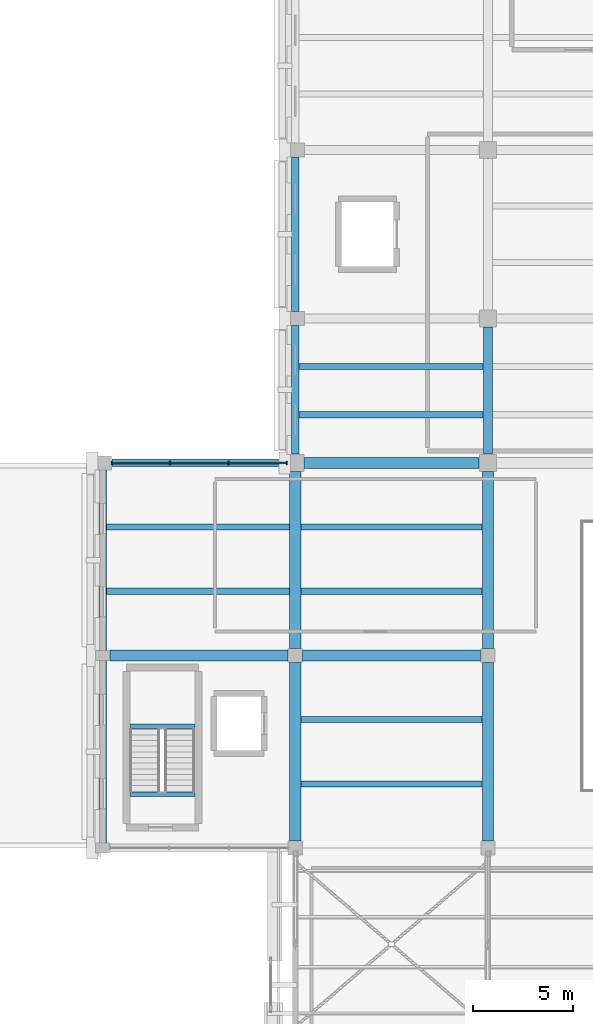
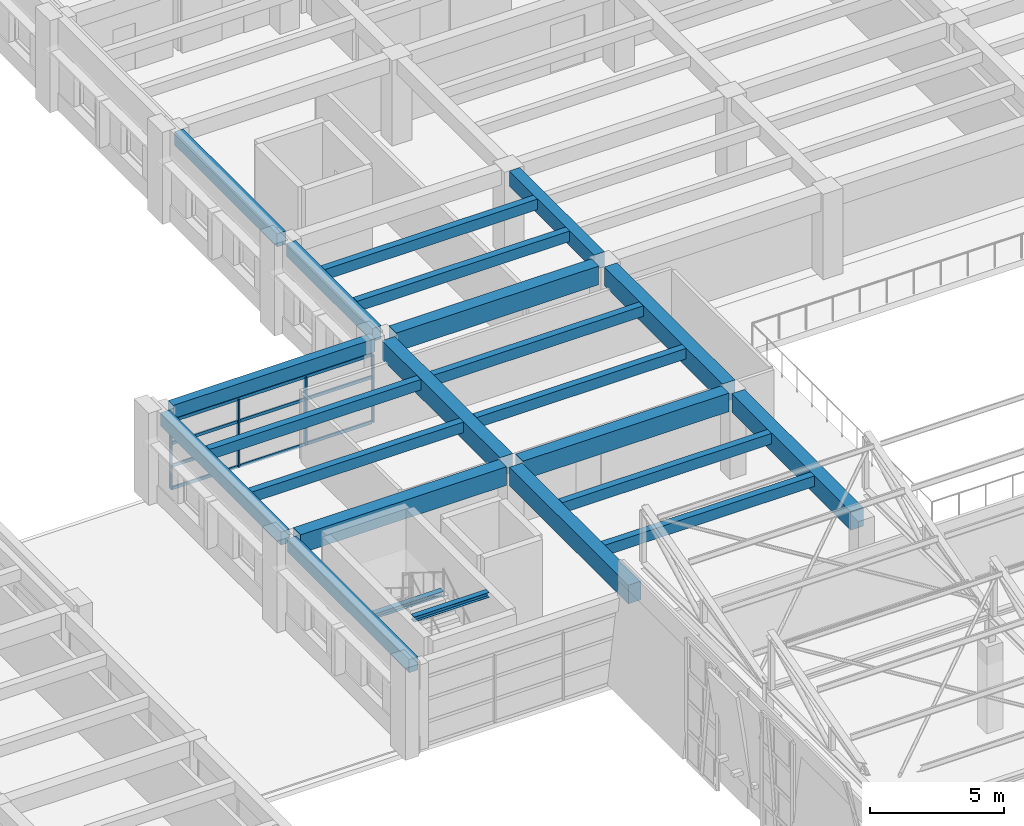
# One storey, part 28 of 71: 23 beams, 8 members, 1 element without a shape of its own.
"""IFC4 building model written with IfcOpenShell, lengths in metres."""

from ifc_helpers import new_model, si_unit, direction, frame, origin, origin_2d, place, context, subcontext, project, spatial, rectangle, i_section, extrude, material, layer, layer_set, material_profile, profile_set, type_object, element, aggregate, save


model = new_model("IFC4")

# Units and contexts
model_context = context("Model", 3, precision=1e-05, world=origin(), true_north=direction((0.0, 1.0)))
body_context = subcontext(model_context, "Body", "Model", "MODEL_VIEW")
ifc_project = project(units=[si_unit("LENGTHUNIT", "METRE"), si_unit("AREAUNIT", "SQUARE_METRE"), si_unit("VOLUMEUNIT", "CUBIC_METRE"), si_unit("PLANEANGLEUNIT", "RADIAN"), si_unit("MASSUNIT", "GRAM", prefix="KILO")], contexts=[model_context])

# Site, building, storey
site_placement = place(None, origin())
site = spatial("IfcSite", under=ifc_project, at=site_placement, CompositionType="ELEMENT")
building_placement = place(site_placement, origin())
building = spatial("IfcBuilding", under=site, at=building_placement, Name="Bempovik Park Faculty of Sciences", CompositionType="ELEMENT")
storey_placement = place(building_placement, frame((0.0, 0.0, 14.10009765625)))
storey = spatial("IfcBuildingStorey", under=building, at=storey_placement, Name="L03", CompositionType="ELEMENT", Elevation=14.10009765625)

# Beams
ifc_material_1 = material(Name="Concrete C35/45", Category="concrete")
ifc_material_profile_1 = material_profile(ifc_material_1, rectangle(XDim=0.3798828125, YDim=0.60009765625, at=origin_2d()), Name="RC 380x600")
ifc_profile_set_1 = profile_set([ifc_material_profile_1], Name="Concrete C35/45")
beam_type_1 = type_object("IfcBeamType", Name="B-032 RC 380x600", PredefinedType="SPANDREL", material=ifc_profile_set_1)
beam_1_placement = place(storey_placement, frame((50.85595703125, 87.0, 3.599853515625), z_axis=(1.0, 0.0, 0.0), x_axis=(0.0, 1.0, 0.0)))
element("IfcBeam", 1, at=beam_1_placement, inside=storey, type_object=beam_type_1, Name="L03 Beam X (50.4-60.0, y=87.0)", PredefinedType="SPANDREL", context=body_context, shape_type="SweptSolid", body=[
    extrude(rectangle(XDim=0.3798828125, YDim=0.60009765625, at=origin_2d()), origin(), (0.0, 0.0, 1.0), 8.713134765625),
])
beam_2_placement = place(storey_placement, frame((50.39990234375, 68.055908203125, 3.599853515625), z_axis=(0.0, 1.0, 0.0), x_axis=(-1.0, 0.0, 0.0)))
element("IfcBeam", 2, at=beam_2_placement, inside=storey, type_object=beam_type_1, Name="L03 Beam Y (x=50.4, 67.8-77.4)", PredefinedType="SPANDREL", context=body_context, shape_type="SweptSolid", body=[
    extrude(rectangle(XDim=0.3798828125, YDim=0.60009765625, at=origin_2d()), origin(), (0.0, 0.0, 1.0), 9.088134765625),
])
beam_3_placement = place(storey_placement, frame((50.39990234375, 77.656005859375, 3.599853515625), z_axis=(0.0, 1.0, 0.0), x_axis=(-1.0, 0.0, 0.0)))
element("IfcBeam", 3, at=beam_3_placement, inside=storey, type_object=beam_type_1, Name="L03 Beam Y (x=50.4, 77.4-87.0)", PredefinedType="SPANDREL", context=body_context, shape_type="SweptSolid", body=[
    extrude(rectangle(XDim=0.3798828125, YDim=0.60009765625, at=origin_2d()), origin(), (0.0, 0.0, 1.0), 8.988037109375),
])
beam_4_placement = place(storey_placement, frame((60.0, 87.430908203125, 3.599853515625), z_axis=(0.0, 1.0, 0.0), x_axis=(-1.0, 0.0, 0.0)))
element("IfcBeam", 4, at=beam_4_placement, inside=storey, type_object=beam_type_1, Name="L03 Beam Y (x=60.0, 87.0-94.2)", PredefinedType="SPANDREL", context=body_context, shape_type="SweptSolid", body=[
    extrude(rectangle(XDim=0.3798828125, YDim=0.60009765625, at=origin_2d()), origin(), (0.0, 0.0, 1.0), 6.4130859375),
])
beam_5_placement = place(storey_placement, frame((60.0, 94.555908203125, 3.599853515625), z_axis=(0.0, 1.0, 0.0), x_axis=(-1.0, 0.0, 0.0)))
element("IfcBeam", 5, at=beam_5_placement, inside=storey, type_object=beam_type_1, Name="L03 Beam Y (x=60.0, 94.2-102.6)", PredefinedType="SPANDREL", context=body_context, shape_type="SweptSolid", body=[
    extrude(rectangle(XDim=0.3798828125, YDim=0.60009765625, at=origin_2d()), origin(), (0.0, 0.0, 1.0), 7.68798828125),
])
ifc_material_profile_2 = material_profile(ifc_material_1, rectangle(XDim=0.300048828125, YDim=0.47998046875, at=origin_2d()), Name="RC 300x480")
ifc_profile_set_2 = profile_set([ifc_material_profile_2], Name="Concrete C35/45")
beam_type_2 = type_object("IfcBeamType", Name="B-039 RC 300x480", PredefinedType="JOIST", material=ifc_profile_set_2)
for number, where, z_axis, x_axis, name in (
    (6, (50.595947265625, 80.60009765625, 3.659912109375), (1.0, 0.0, 0.0), (0.0, 1.0, 0.0), "L03 Secondary Joist (50.4-60.0, y=80.60)"),
    (7, (50.595947265625, 83.800048828125, 3.659912109375), (1.0, 0.0, 0.0), (0.0, 1.0, 0.0), "L03 Secondary Joist (50.4-60.0, y=83.80)"),
):
    element("IfcBeam", number, at=place(storey_placement, frame(where, z_axis=z_axis, x_axis=x_axis)), inside=storey, type_object=beam_type_2, Name=name, PredefinedType="JOIST", context=body_context, shape_type="SweptSolid", body=[
        extrude(rectangle(XDim=0.300048828125, YDim=0.47998046875, at=origin_2d()), origin(), (0.0, 0.0, 1.0), 9.123046875),
    ])
for number, where, z_axis, x_axis, name in (
    (8, (60.281005859375, 71.0, 3.659912109375), (1.0, 0.0, 0.0), (0.0, 1.0, 0.0), "L03 Secondary Joist (60.0-69.6, y=71.00)"),
    (9, (60.281005859375, 74.199951171875, 3.659912109375), (1.0, 0.0, 0.0), (0.0, 1.0, 0.0), "L03 Secondary Joist (60.0-69.6, y=74.20)"),
    (10, (60.281005859375, 80.60009765625, 3.659912109375), (1.0, 0.0, 0.0), (0.0, 1.0, 0.0), "L03 Secondary Joist (60.0-69.6, y=80.60)"),
    (11, (60.281005859375, 83.800048828125, 3.659912109375), (1.0, 0.0, 0.0), (0.0, 1.0, 0.0), "L03 Secondary Joist (60.0-69.6, y=83.80)"),
):
    element("IfcBeam", number, at=place(storey_placement, frame(where, z_axis=z_axis, x_axis=x_axis)), inside=storey, type_object=beam_type_2, Name=name, PredefinedType="JOIST", context=body_context, shape_type="SweptSolid", body=[
        extrude(rectangle(XDim=0.300048828125, YDim=0.47998046875, at=origin_2d()), origin(), (0.0, 0.0, 1.0), 9.0380859375),
    ])
for number, where, z_axis, x_axis, name in (
    (12, (60.196044921875, 89.39990234375, 3.659912109375), (1.0, 0.0, 0.0), (0.0, 1.0, 0.0), "L03 Secondary Joist (60.0-69.6, y=89.40)"),
    (13, (60.196044921875, 91.800048828125, 3.659912109375), (1.0, 0.0, 0.0), (0.0, 1.0, 0.0), "L03 Secondary Joist (60.0-69.6, y=91.80)"),
):
    element("IfcBeam", number, at=place(storey_placement, frame(where, z_axis=z_axis, x_axis=x_axis)), inside=storey, type_object=beam_type_2, Name=name, PredefinedType="JOIST", context=body_context, shape_type="SweptSolid", body=[
        extrude(rectangle(XDim=0.300048828125, YDim=0.47998046875, at=origin_2d()), origin(), (0.0, 0.0, 1.0), 9.1728515625),
    ])
ifc_material_2 = material(Name="Steel S355", Category="steel")
ifc_material_profile_3 = material_profile(ifc_material_2, i_section(OverallWidth=0.239990234375, OverallDepth=0.22998046875, WebThickness=0.007568359375, FlangeThickness=0.011962890625, at=origin_2d()), Name="HEA 240")
ifc_profile_set_3 = profile_set([ifc_material_profile_3], Name="Steel S355")
beam_type_3 = type_object("IfcBeamType", Name="B-070 HEA 240", PredefinedType="BEAM", material=ifc_profile_set_3)
for number, where, z_axis, x_axis, name in (
    (14, (51.756103515625, 73.86865234375, 1.784912109375), (1.0, 0.0, 0.0), (0.0, 1.0, 0.0), "L03 ST-4 Half-Landing Trimmer Beam"),
    (15, (51.756103515625, 70.47509765625, 3.784912109375), (1.0, 0.0, 0.0), (0.0, 1.0, 0.0), "L04 ST-4 Floor Landing Trimmer Beam"),
):
    element("IfcBeam", number, at=place(storey_placement, frame(where, z_axis=z_axis, x_axis=x_axis)), inside=storey, type_object=beam_type_3, Name=name, PredefinedType="BEAM", context=body_context, shape_type="SweptSolid", body=[
        extrude(i_section(OverallWidth=0.239990234375, OverallDepth=0.22998046875, WebThickness=0.007568359375, FlangeThickness=0.011962890625, at=origin_2d()), origin(), (0.0, 0.0, 1.0), 3.23779296875),
    ])
ifc_material_3 = material(Name="Concrete C40/50", Category="concrete")
ifc_material_profile_4 = material_profile(ifc_material_3, rectangle(XDim=0.550048828125, YDim=0.85009765625, at=origin_2d()), Name="RC 550x850")
ifc_profile_set_4 = profile_set([ifc_material_profile_4], Name="Concrete C40/50")
beam_type_4 = type_object("IfcBeamType", Name="B-080 RC 550x850", PredefinedType="BEAM", material=ifc_profile_set_4)
for number, where, z_axis, x_axis, name in (
    (16, (50.756103515625, 77.39990234375, 3.474853515625), (1.0, 0.0, 0.0), (0.0, 1.0, 0.0), "L03 Beam X (50.4-60.0, y=77.4)"),
    (17, (60.35595703125, 77.39990234375, 3.474853515625), (1.0, 0.0, 0.0), (0.0, 1.0, 0.0), "L03 Beam X (60.0-69.6, y=77.4)"),
):
    element("IfcBeam", number, at=place(storey_placement, frame(where, z_axis=z_axis, x_axis=x_axis)), inside=storey, type_object=beam_type_4, Name=name, PredefinedType="BEAM", context=body_context, shape_type="SweptSolid", body=[
        extrude(rectangle(XDim=0.550048828125, YDim=0.85009765625, at=origin_2d()), origin(), (0.0, 0.0, 1.0), 8.887939453125),
    ])
beam_6_placement = place(storey_placement, frame((60.430908203125, 87.0, 3.474853515625), z_axis=(1.0, 0.0, 0.0), x_axis=(0.0, 1.0, 0.0)))
element("IfcBeam", 18, at=beam_6_placement, inside=storey, type_object=beam_type_4, Name="L03 Beam X (60.0-69.6, y=87.0)", PredefinedType="BEAM", context=body_context, shape_type="SweptSolid", body=[
    extrude(rectangle(XDim=0.550048828125, YDim=0.85009765625, at=origin_2d()), origin(), (0.0, 0.0, 1.0), 8.738037109375),
])
beam_7_placement = place(storey_placement, frame((60.0, 68.156005859375, 3.474853515625), z_axis=(0.0, 1.0, 0.0), x_axis=(-1.0, 0.0, 0.0)))
element("IfcBeam", 19, at=beam_7_placement, inside=storey, type_object=beam_type_4, Name="L03 Beam Y (x=60.0, 67.8-77.4)", PredefinedType="BEAM", context=body_context, shape_type="SweptSolid", body=[
    extrude(rectangle(XDim=0.550048828125, YDim=0.85009765625, at=origin_2d()), origin(), (0.0, 0.0, 1.0), 8.887939453125),
])
beam_8_placement = place(storey_placement, frame((60.0, 77.756103515625, 3.474853515625), z_axis=(0.0, 1.0, 0.0), x_axis=(-1.0, 0.0, 0.0)))
element("IfcBeam", 20, at=beam_8_placement, inside=storey, type_object=beam_type_4, Name="L03 Beam Y (x=60.0, 77.4-87.0)", PredefinedType="BEAM", context=body_context, shape_type="SweptSolid", body=[
    extrude(rectangle(XDim=0.550048828125, YDim=0.85009765625, at=origin_2d()), origin(), (0.0, 0.0, 1.0), 8.81298828125),
])
beam_9_placement = place(storey_placement, frame((69.60009765625, 68.156005859375, 3.474853515625), z_axis=(0.0, 1.0, 0.0), x_axis=(-1.0, 0.0, 0.0)))
element("IfcBeam", 21, at=beam_9_placement, inside=storey, type_object=beam_type_4, Name="L03 Beam Y (x=69.6, 67.8-77.4)", PredefinedType="BEAM", context=body_context, shape_type="SweptSolid", body=[
    extrude(rectangle(XDim=0.550048828125, YDim=0.85009765625, at=origin_2d()), origin(), (0.0, 0.0, 1.0), 8.887939453125),
])
beam_10_placement = place(storey_placement, frame((69.60009765625, 77.756103515625, 3.474853515625), z_axis=(0.0, 1.0, 0.0), x_axis=(-1.0, 0.0, 0.0)))
element("IfcBeam", 22, at=beam_10_placement, inside=storey, type_object=beam_type_4, Name="L03 Beam Y (x=69.6, 77.4-87.0)", PredefinedType="BEAM", context=body_context, shape_type="SweptSolid", body=[
    extrude(rectangle(XDim=0.550048828125, YDim=0.85009765625, at=origin_2d()), origin(), (0.0, 0.0, 1.0), 8.81298828125),
])
ifc_material_profile_5 = material_profile(ifc_material_1, rectangle(XDim=0.449951171875, YDim=0.679931640625, at=origin_2d()), Name="RC 450x680")
ifc_profile_set_5 = profile_set([ifc_material_profile_5], Name="Concrete C35/45")
beam_type_5 = type_object("IfcBeamType", Name="B-113 RC 450x680", PredefinedType="BEAM", material=ifc_profile_set_5)
beam_11_placement = place(storey_placement, frame((69.60009765625, 87.430908203125, 3.559814453125), z_axis=(0.0, 1.0, 0.0), x_axis=(-1.0, 0.0, 0.0)))
element("IfcBeam", 23, at=beam_11_placement, inside=storey, type_object=beam_type_5, Name="L03 Beam Y (x=69.6, 87.0-94.2)", PredefinedType="BEAM", context=body_context, shape_type="SweptSolid", body=[
    extrude(rectangle(XDim=0.449951171875, YDim=0.679931640625, at=origin_2d()), origin(), (0.0, 0.0, 1.0), 6.338134765625),
])

# Curtain wall, members
ifc_material_4 = material(Name="Tempered laminated low-E glass", Category="glass")
ifc_layer = layer(ifc_material_4, 0.159912109375)
ifc_layer_set = layer_set([ifc_layer], Name="Tempered laminated low-E glass")
curtain_wall_type = type_object("IfcCurtainWallType", Name="CW-41 Curtain 6600x3800", PredefinedType="USERDEFINED", material=ifc_layer_set)
curtain_wall_placement = place(storey_placement, origin())
curtain_wall = element("IfcCurtainWall", 24, at=curtain_wall_placement, inside=storey, type_object=curtain_wall_type, Name="L03 Unitised Curtain Wall (87.0,50.4)", ObjectType="UNITISED CURTAIN WALL", PredefinedType="USERDEFINED")
ifc_material_5 = material(Name="Anodised architectural bronze", Category="aluminium")
ifc_material_profile_6 = material_profile(ifc_material_5, rectangle(XDim=0.06494140625, YDim=0.169921875, at=origin_2d()), Name="ALU-M 65x170")
ifc_profile_set_6 = profile_set([ifc_material_profile_6], Name="Anodised architectural bronze")
member_type_1 = type_object("IfcMemberType", Name="ML-15 ALU-M 65x170", PredefinedType="MULLION", material=ifc_profile_set_6)
member_1_placement = place(storey_placement, frame((50.85205078125, 87.0, 0.0), z_axis=(0.0, 0.0, 1.0), x_axis=(1.0, 0.0, 0.0)))
member_1 = element("IfcMember", 25, at=member_1_placement, type_object=member_type_1, Name="CW-BAY-L03-870-504 Mullion 0", PredefinedType="MULLION", context=body_context, shape_type="SweptSolid", body=[
    extrude(rectangle(XDim=0.06494140625, YDim=0.169921875, at=origin_2d()), origin(), (0.0, 0.0, 1.0), 3.079833984375),
])
member_2_placement = place(storey_placement, frame((53.759033203125, 87.0, 0.0), z_axis=(0.0, 0.0, 1.0), x_axis=(1.0, 0.0, 0.0)))
member_2 = element("IfcMember", 26, at=member_2_placement, type_object=member_type_1, Name="CW-BAY-L03-870-504 Mullion 1", PredefinedType="MULLION", context=body_context, shape_type="SweptSolid", body=[
    extrude(rectangle(XDim=0.06494140625, YDim=0.169921875, at=origin_2d()), origin(), (0.0, 0.0, 1.0), 3.079833984375),
])
member_3_placement = place(storey_placement, frame((56.666015625, 87.0, 0.0), z_axis=(0.0, 0.0, 1.0), x_axis=(1.0, 0.0, 0.0)))
member_3 = element("IfcMember", 27, at=member_3_placement, type_object=member_type_1, Name="CW-BAY-L03-870-504 Mullion 2", PredefinedType="MULLION", context=body_context, shape_type="SweptSolid", body=[
    extrude(rectangle(XDim=0.06494140625, YDim=0.169921875, at=origin_2d()), origin(), (0.0, 0.0, 1.0), 3.079833984375),
])
member_4_placement = place(storey_placement, frame((59.572998046875, 87.0, 0.0), z_axis=(0.0, 0.0, 1.0), x_axis=(1.0, 0.0, 0.0)))
member_4 = element("IfcMember", 28, at=member_4_placement, type_object=member_type_1, Name="CW-BAY-L03-870-504 Mullion 3", PredefinedType="MULLION", context=body_context, shape_type="SweptSolid", body=[
    extrude(rectangle(XDim=0.06494140625, YDim=0.169921875, at=origin_2d()), origin(), (0.0, 0.0, 1.0), 3.079833984375),
])
ifc_material_profile_7 = material_profile(ifc_material_5, rectangle(XDim=0.06494140625, YDim=0.139892578125, at=origin_2d()), Name="ALU-T 65x140")
ifc_profile_set_7 = profile_set([ifc_material_profile_7], Name="Anodised architectural bronze")
member_type_2 = type_object("IfcMemberType", Name="TR-17 ALU-T 65x140", PredefinedType="USERDEFINED", material=ifc_profile_set_7)
member_5_placement = place(storey_placement, frame((50.89208984375, 87.0, 0.0), z_axis=(1.0, 0.0, 0.0), x_axis=(0.0, 1.0, 0.0)))
member_5 = element("IfcMember", 29, at=member_5_placement, type_object=member_type_2, Name="CW-BAY-L03-870-504 Transom 0", ObjectType="TRANSOM", PredefinedType="USERDEFINED", context=body_context, shape_type="SweptSolid", body=[
    extrude(rectangle(XDim=0.06494140625, YDim=0.139892578125, at=origin_2d()), origin(), (0.0, 0.0, 1.0), 8.640869140625),
])
member_6_placement = place(storey_placement, frame((50.89208984375, 87.0, 1.026611328125), z_axis=(1.0, 0.0, 0.0), x_axis=(0.0, 1.0, 0.0)))
member_6 = element("IfcMember", 30, at=member_6_placement, type_object=member_type_2, Name="CW-BAY-L03-870-504 Transom 1", ObjectType="TRANSOM", PredefinedType="USERDEFINED", context=body_context, shape_type="SweptSolid", body=[
    extrude(rectangle(XDim=0.06494140625, YDim=0.139892578125, at=origin_2d()), origin(), (0.0, 0.0, 1.0), 8.640869140625),
])
member_7_placement = place(storey_placement, frame((50.89208984375, 87.0, 2.05322265625), z_axis=(1.0, 0.0, 0.0), x_axis=(0.0, 1.0, 0.0)))
member_7 = element("IfcMember", 31, at=member_7_placement, type_object=member_type_2, Name="CW-BAY-L03-870-504 Transom 2", ObjectType="TRANSOM", PredefinedType="USERDEFINED", context=body_context, shape_type="SweptSolid", body=[
    extrude(rectangle(XDim=0.06494140625, YDim=0.139892578125, at=origin_2d()), origin(), (0.0, 0.0, 1.0), 8.640869140625),
])
member_8_placement = place(storey_placement, frame((50.89208984375, 87.0, 3.079833984375), z_axis=(1.0, 0.0, 0.0), x_axis=(0.0, 1.0, 0.0)))
member_8 = element("IfcMember", 32, at=member_8_placement, type_object=member_type_2, Name="CW-BAY-L03-870-504 Transom 3", ObjectType="TRANSOM", PredefinedType="USERDEFINED", context=body_context, shape_type="SweptSolid", body=[
    extrude(rectangle(XDim=0.06494140625, YDim=0.139892578125, at=origin_2d()), origin(), (0.0, 0.0, 1.0), 8.640869140625),
])
aggregate(curtain_wall, [member_1, member_2, member_3, member_4, member_5, member_6, member_7, member_8])

save(model, "model.ifc")
